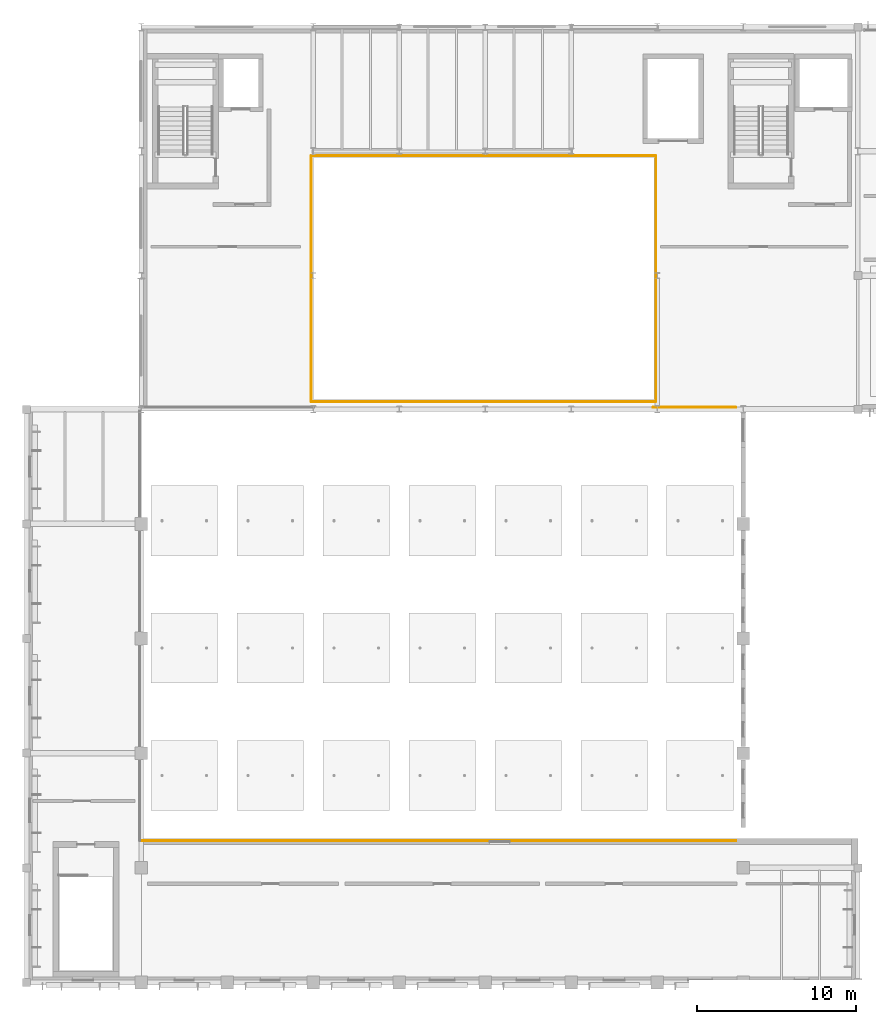
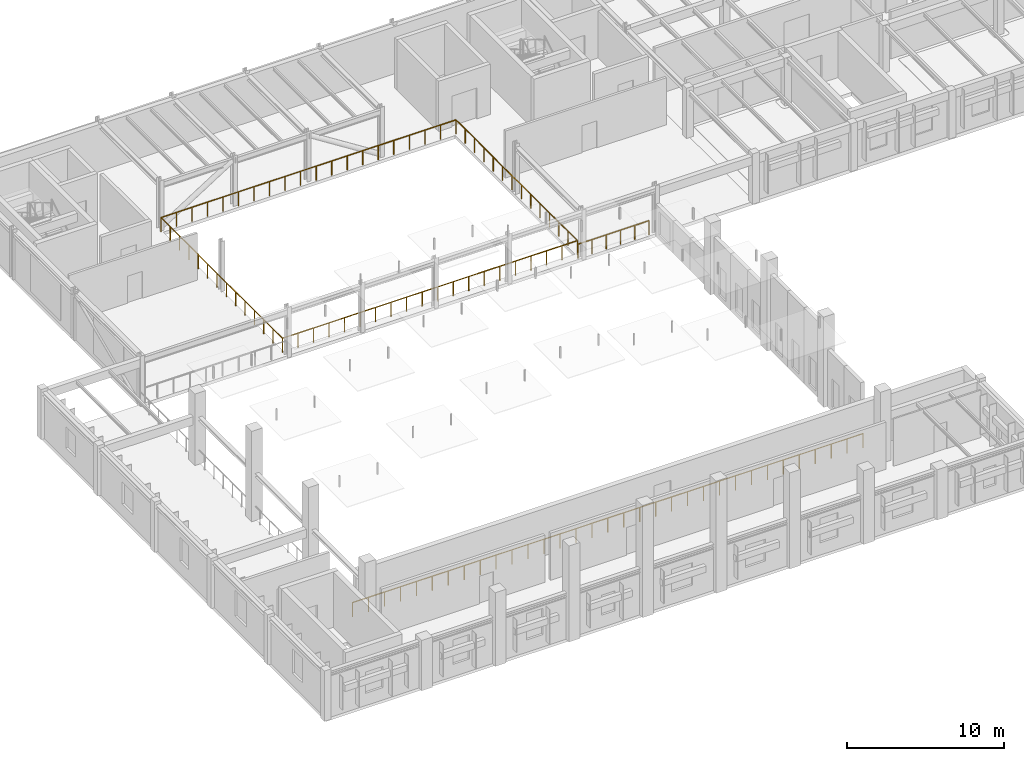
# One storey, part 41 of 44: 6 railings.
"""IFC4 building model written with IfcOpenShell, lengths in metres."""

from ifc_helpers import new_model, si_unit, direction, frame, origin, origin_2d, place, context, subcontext, project, spatial, circle, extrude, material, material_profile, profile_set, type_object, element, save


model = new_model("IFC4")

# Units and contexts
model_context = context("Model", 3, precision=1e-05, world=origin(), true_north=direction((0.0, 1.0)))
body_context = subcontext(model_context, "Body", "Model", "MODEL_VIEW")
ifc_project = project(units=[si_unit("LENGTHUNIT", "METRE"), si_unit("AREAUNIT", "SQUARE_METRE"), si_unit("VOLUMEUNIT", "CUBIC_METRE"), si_unit("PLANEANGLEUNIT", "RADIAN"), si_unit("MASSUNIT", "GRAM", prefix="KILO")], contexts=[model_context])

# Site, building, storey
site_placement = place(None, origin())
site = spatial("IfcSite", under=ifc_project, at=site_placement, CompositionType="ELEMENT")
building_placement = place(site_placement, origin())
building = spatial("IfcBuilding", under=site, at=building_placement, Name="Tazoul Stagehouse", CompositionType="ELEMENT")
storey_placement = place(building_placement, frame((0.0, 0.0, 13.199951171875)))
storey = spatial("IfcBuildingStorey", under=building, at=storey_placement, Name="L03", CompositionType="ELEMENT", Elevation=13.199951171875)

# Railings
ifc_material = material(Name="Brushed Stainless Steel 316L", Category="steel")
ifc_material_profile = material_profile(ifc_material, circle(Radius=0.02392578125, at=origin_2d()), Name="SS RAIL D48")
ifc_profile_set = profile_set([ifc_material_profile], Name="Brushed Stainless Steel 316L")
railing_type = type_object("IfcRailingType", Name="Architectural Guardrail H1120", PredefinedType="GUARDRAIL", material=ifc_profile_set)
railing_1_placement = place(storey_placement, frame((68.280029296875, 88.280029296875, 0.0)))
element("IfcRailing", 1, at=railing_1_placement, inside=storey, type_object=railing_type, Name="L03 Open-Edge Guard GRD-01 (GRD-VOID1-S1)", PredefinedType="GUARDRAIL", context=body_context, shape_type="SweptSolid", body=[
    extrude(circle(Radius=0.02392578125, at=origin_2d()), frame((0.0, 0.0, 1.09619140625), z_axis=(1.0, 0.0, 0.0), x_axis=(0.0, 1.0, 0.0)), (0.0, 0.0, 1.0), 21.639892578125),
    extrude(circle(Radius=0.02099609375, at=origin_2d()), origin(), (0.0, 0.0, 1.0), 1.072021484375),
    extrude(circle(Radius=0.02099609375, at=origin_2d()), frame((1.138916015625, 0.0, 0.0)), (0.0, 0.0, 1.0), 1.072021484375),
    extrude(circle(Radius=0.02099609375, at=origin_2d()), frame((2.27783203125, 0.0, 0.0)), (0.0, 0.0, 1.0), 1.072021484375),
    extrude(circle(Radius=0.02099609375, at=origin_2d()), frame((3.416748046875, 0.0, 0.0)), (0.0, 0.0, 1.0), 1.072021484375),
    extrude(circle(Radius=0.02099609375, at=origin_2d()), frame((4.5556640625, 0.0, 0.0)), (0.0, 0.0, 1.0), 1.072021484375),
    extrude(circle(Radius=0.02099609375, at=origin_2d()), frame((5.69482421875, 0.0, 0.0)), (0.0, 0.0, 1.0), 1.072021484375),
    extrude(circle(Radius=0.02099609375, at=origin_2d()), frame((6.833740234375, 0.0, 0.0)), (0.0, 0.0, 1.0), 1.072021484375),
    extrude(circle(Radius=0.02099609375, at=origin_2d()), frame((7.97265625, 0.0, 0.0)), (0.0, 0.0, 1.0), 1.072021484375),
    extrude(circle(Radius=0.02099609375, at=origin_2d()), frame((9.111572265625, 0.0, 0.0)), (0.0, 0.0, 1.0), 1.072021484375),
    extrude(circle(Radius=0.02099609375, at=origin_2d()), frame((10.25048828125, 0.0, 0.0)), (0.0, 0.0, 1.0), 1.072021484375),
    extrude(circle(Radius=0.02099609375, at=origin_2d()), frame((11.389404296875, 0.0, 0.0)), (0.0, 0.0, 1.0), 1.072021484375),
    extrude(circle(Radius=0.02099609375, at=origin_2d()), frame((12.5283203125, 0.0, 0.0)), (0.0, 0.0, 1.0), 1.072021484375),
    extrude(circle(Radius=0.02099609375, at=origin_2d()), frame((13.667236328125, 0.0, 0.0)), (0.0, 0.0, 1.0), 1.072021484375),
    extrude(circle(Radius=0.02099609375, at=origin_2d()), frame((14.80615234375, 0.0, 0.0)), (0.0, 0.0, 1.0), 1.072021484375),
    extrude(circle(Radius=0.02099609375, at=origin_2d()), frame((15.945068359375, 0.0, 0.0)), (0.0, 0.0, 1.0), 1.072021484375),
    extrude(circle(Radius=0.02099609375, at=origin_2d()), frame((17.084228515625, 0.0, 0.0)), (0.0, 0.0, 1.0), 1.072021484375),
    extrude(circle(Radius=0.02099609375, at=origin_2d()), frame((18.22314453125, 0.0, 0.0)), (0.0, 0.0, 1.0), 1.072021484375),
    extrude(circle(Radius=0.02099609375, at=origin_2d()), frame((19.362060546875, 0.0, 0.0)), (0.0, 0.0, 1.0), 1.072021484375),
    extrude(circle(Radius=0.02099609375, at=origin_2d()), frame((20.5009765625, 0.0, 0.0)), (0.0, 0.0, 1.0), 1.072021484375),
    extrude(circle(Radius=0.02099609375, at=origin_2d()), frame((21.639892578125, 0.0, 0.0)), (0.0, 0.0, 1.0), 1.072021484375),
])
railing_2_placement = place(storey_placement, frame((89.919921875, 88.280029296875, 0.0)))
element("IfcRailing", 2, at=railing_2_placement, inside=storey, type_object=railing_type, Name="L03 Open-Edge Guard GRD-01 (GRD-VOID1-E1)", PredefinedType="GUARDRAIL", context=body_context, shape_type="SweptSolid", body=[
    extrude(circle(Radius=0.02392578125, at=origin_2d()), frame((0.0, 0.0, 1.09619140625), z_axis=(0.0, 1.0, 0.0), x_axis=(-1.0, 0.0, 0.0)), (0.0, 0.0, 1.0), 15.43994140625),
    extrude(circle(Radius=0.02099609375, at=origin_2d()), origin(), (0.0, 0.0, 1.0), 1.072021484375),
    extrude(circle(Radius=0.02099609375, at=origin_2d()), frame((0.0, 1.187744140625, 0.0)), (0.0, 0.0, 1.0), 1.072021484375),
    extrude(circle(Radius=0.02099609375, at=origin_2d()), frame((0.0, 2.37548828125, 0.0)), (0.0, 0.0, 1.0), 1.072021484375),
    extrude(circle(Radius=0.02099609375, at=origin_2d()), frame((0.0, 3.56298828125, 0.0)), (0.0, 0.0, 1.0), 1.072021484375),
    extrude(circle(Radius=0.02099609375, at=origin_2d()), frame((0.0, 4.750732421875, 0.0)), (0.0, 0.0, 1.0), 1.072021484375),
    extrude(circle(Radius=0.02099609375, at=origin_2d()), frame((0.0, 5.9384765625, 0.0)), (0.0, 0.0, 1.0), 1.072021484375),
    extrude(circle(Radius=0.02099609375, at=origin_2d()), frame((0.0, 7.126220703125, 0.0)), (0.0, 0.0, 1.0), 1.072021484375),
    extrude(circle(Radius=0.02099609375, at=origin_2d()), frame((0.0, 8.313720703125, 0.0)), (0.0, 0.0, 1.0), 1.072021484375),
    extrude(circle(Radius=0.02099609375, at=origin_2d()), frame((0.0, 9.50146484375, 0.0)), (0.0, 0.0, 1.0), 1.072021484375),
    extrude(circle(Radius=0.02099609375, at=origin_2d()), frame((0.0, 10.689208984375, 0.0)), (0.0, 0.0, 1.0), 1.072021484375),
    extrude(circle(Radius=0.02099609375, at=origin_2d()), frame((0.0, 11.876953125, 0.0)), (0.0, 0.0, 1.0), 1.072021484375),
    extrude(circle(Radius=0.02099609375, at=origin_2d()), frame((0.0, 13.064453125, 0.0)), (0.0, 0.0, 1.0), 1.072021484375),
    extrude(circle(Radius=0.02099609375, at=origin_2d()), frame((0.0, 14.252197265625, 0.0)), (0.0, 0.0, 1.0), 1.072021484375),
    extrude(circle(Radius=0.02099609375, at=origin_2d()), frame((0.0, 15.43994140625, 0.0)), (0.0, 0.0, 1.0), 1.072021484375),
])
railing_3_placement = place(storey_placement, frame((89.919921875, 103.719970703125, 0.0)))
element("IfcRailing", 3, at=railing_3_placement, inside=storey, type_object=railing_type, Name="L03 Open-Edge Guard GRD-01 (GRD-VOID1-N1)", PredefinedType="GUARDRAIL", context=body_context, shape_type="SweptSolid", body=[
    extrude(circle(Radius=0.02392578125, at=origin_2d()), frame((0.0, 0.0, 1.09619140625), z_axis=(-1.0, 0.0, 0.0), x_axis=(0.0, -1.0, 0.0)), (0.0, 0.0, 1.0), 21.639892578125),
    extrude(circle(Radius=0.02099609375, at=origin_2d()), origin(), (0.0, 0.0, 1.0), 1.072021484375),
    extrude(circle(Radius=0.02099609375, at=origin_2d()), frame((-1.138916015625, 0.0, 0.0)), (0.0, 0.0, 1.0), 1.072021484375),
    extrude(circle(Radius=0.02099609375, at=origin_2d()), frame((-2.27783203125, 0.0, 0.0)), (0.0, 0.0, 1.0), 1.072021484375),
    extrude(circle(Radius=0.02099609375, at=origin_2d()), frame((-3.416748046875, 0.0, 0.0)), (0.0, 0.0, 1.0), 1.072021484375),
    extrude(circle(Radius=0.02099609375, at=origin_2d()), frame((-4.5556640625, 0.0, 0.0)), (0.0, 0.0, 1.0), 1.072021484375),
    extrude(circle(Radius=0.02099609375, at=origin_2d()), frame((-5.69482421875, 0.0, 0.0)), (0.0, 0.0, 1.0), 1.072021484375),
    extrude(circle(Radius=0.02099609375, at=origin_2d()), frame((-6.833740234375, 0.0, 0.0)), (0.0, 0.0, 1.0), 1.072021484375),
    extrude(circle(Radius=0.02099609375, at=origin_2d()), frame((-7.97265625, 0.0, 0.0)), (0.0, 0.0, 1.0), 1.072021484375),
    extrude(circle(Radius=0.02099609375, at=origin_2d()), frame((-9.111572265625, 0.0, 0.0)), (0.0, 0.0, 1.0), 1.072021484375),
    extrude(circle(Radius=0.02099609375, at=origin_2d()), frame((-10.25048828125, 0.0, 0.0)), (0.0, 0.0, 1.0), 1.072021484375),
    extrude(circle(Radius=0.02099609375, at=origin_2d()), frame((-11.389404296875, 0.0, 0.0)), (0.0, 0.0, 1.0), 1.072021484375),
    extrude(circle(Radius=0.02099609375, at=origin_2d()), frame((-12.5283203125, 0.0, 0.0)), (0.0, 0.0, 1.0), 1.072021484375),
    extrude(circle(Radius=0.02099609375, at=origin_2d()), frame((-13.667236328125, 0.0, 0.0)), (0.0, 0.0, 1.0), 1.072021484375),
    extrude(circle(Radius=0.02099609375, at=origin_2d()), frame((-14.80615234375, 0.0, 0.0)), (0.0, 0.0, 1.0), 1.072021484375),
    extrude(circle(Radius=0.02099609375, at=origin_2d()), frame((-15.945068359375, 0.0, 0.0)), (0.0, 0.0, 1.0), 1.072021484375),
    extrude(circle(Radius=0.02099609375, at=origin_2d()), frame((-17.084228515625, 0.0, 0.0)), (0.0, 0.0, 1.0), 1.072021484375),
    extrude(circle(Radius=0.02099609375, at=origin_2d()), frame((-18.22314453125, 0.0, 0.0)), (0.0, 0.0, 1.0), 1.072021484375),
    extrude(circle(Radius=0.02099609375, at=origin_2d()), frame((-19.362060546875, 0.0, 0.0)), (0.0, 0.0, 1.0), 1.072021484375),
    extrude(circle(Radius=0.02099609375, at=origin_2d()), frame((-20.5009765625, 0.0, 0.0)), (0.0, 0.0, 1.0), 1.072021484375),
    extrude(circle(Radius=0.02099609375, at=origin_2d()), frame((-21.639892578125, 0.0, 0.0)), (0.0, 0.0, 1.0), 1.072021484375),
])
railing_4_placement = place(storey_placement, frame((68.280029296875, 103.719970703125, 0.0)))
element("IfcRailing", 4, at=railing_4_placement, inside=storey, type_object=railing_type, Name="L03 Open-Edge Guard GRD-01 (GRD-VOID1-W1)", PredefinedType="GUARDRAIL", context=body_context, shape_type="SweptSolid", body=[
    extrude(circle(Radius=0.02392578125, at=origin_2d()), frame((0.0, 0.0, 1.09619140625), z_axis=(0.0, -1.0, 0.0), x_axis=(1.0, 0.0, 0.0)), (0.0, 0.0, 1.0), 15.43994140625),
    extrude(circle(Radius=0.02099609375, at=origin_2d()), origin(), (0.0, 0.0, 1.0), 1.072021484375),
    extrude(circle(Radius=0.02099609375, at=origin_2d()), frame((0.0, -1.187744140625, 0.0)), (0.0, 0.0, 1.0), 1.072021484375),
    extrude(circle(Radius=0.02099609375, at=origin_2d()), frame((0.0, -2.37548828125, 0.0)), (0.0, 0.0, 1.0), 1.072021484375),
    extrude(circle(Radius=0.02099609375, at=origin_2d()), frame((0.0, -3.56298828125, 0.0)), (0.0, 0.0, 1.0), 1.072021484375),
    extrude(circle(Radius=0.02099609375, at=origin_2d()), frame((0.0, -4.750732421875, 0.0)), (0.0, 0.0, 1.0), 1.072021484375),
    extrude(circle(Radius=0.02099609375, at=origin_2d()), frame((0.0, -5.9384765625, 0.0)), (0.0, 0.0, 1.0), 1.072021484375),
    extrude(circle(Radius=0.02099609375, at=origin_2d()), frame((0.0, -7.126220703125, 0.0)), (0.0, 0.0, 1.0), 1.072021484375),
    extrude(circle(Radius=0.02099609375, at=origin_2d()), frame((0.0, -8.313720703125, 0.0)), (0.0, 0.0, 1.0), 1.072021484375),
    extrude(circle(Radius=0.02099609375, at=origin_2d()), frame((0.0, -9.50146484375, 0.0)), (0.0, 0.0, 1.0), 1.072021484375),
    extrude(circle(Radius=0.02099609375, at=origin_2d()), frame((0.0, -10.689208984375, 0.0)), (0.0, 0.0, 1.0), 1.072021484375),
    extrude(circle(Radius=0.02099609375, at=origin_2d()), frame((0.0, -11.876953125, 0.0)), (0.0, 0.0, 1.0), 1.072021484375),
    extrude(circle(Radius=0.02099609375, at=origin_2d()), frame((0.0, -13.064453125, 0.0)), (0.0, 0.0, 1.0), 1.072021484375),
    extrude(circle(Radius=0.02099609375, at=origin_2d()), frame((0.0, -14.252197265625, 0.0)), (0.0, 0.0, 1.0), 1.072021484375),
    extrude(circle(Radius=0.02099609375, at=origin_2d()), frame((0.0, -15.43994140625, 0.0)), (0.0, 0.0, 1.0), 1.072021484375),
])
railing_5_placement = place(storey_placement, frame((57.5, 60.699951171875, 0.0)))
element("IfcRailing", 5, at=railing_5_placement, inside=storey, type_object=railing_type, Name="L03 Auditorium Control Gallery Front Guard GRD-01", PredefinedType="GUARDRAIL", context=body_context, shape_type="SweptSolid", body=[
    extrude(circle(Radius=0.02392578125, at=origin_2d()), frame((0.0, 0.0, 1.09619140625), z_axis=(1.0, 0.0, 0.0), x_axis=(0.0, 1.0, 0.0)), (0.0, 0.0, 1.0), 37.449951171875),
    extrude(circle(Radius=0.02099609375, at=origin_2d()), origin(), (0.0, 0.0, 1.0), 1.072021484375),
    extrude(circle(Radius=0.02099609375, at=origin_2d()), frame((1.17041015625, 0.0, 0.0)), (0.0, 0.0, 1.0), 1.072021484375),
    extrude(circle(Radius=0.02099609375, at=origin_2d()), frame((2.340576171875, 0.0, 0.0)), (0.0, 0.0, 1.0), 1.072021484375),
    extrude(circle(Radius=0.02099609375, at=origin_2d()), frame((3.510986328125, 0.0, 0.0)), (0.0, 0.0, 1.0), 1.072021484375),
    extrude(circle(Radius=0.02099609375, at=origin_2d()), frame((4.68115234375, 0.0, 0.0)), (0.0, 0.0, 1.0), 1.072021484375),
    extrude(circle(Radius=0.02099609375, at=origin_2d()), frame((5.8515625, 0.0, 0.0)), (0.0, 0.0, 1.0), 1.072021484375),
    extrude(circle(Radius=0.02099609375, at=origin_2d()), frame((7.02197265625, 0.0, 0.0)), (0.0, 0.0, 1.0), 1.072021484375),
    extrude(circle(Radius=0.02099609375, at=origin_2d()), frame((8.192138671875, 0.0, 0.0)), (0.0, 0.0, 1.0), 1.072021484375),
    extrude(circle(Radius=0.02099609375, at=origin_2d()), frame((9.362548828125, 0.0, 0.0)), (0.0, 0.0, 1.0), 1.072021484375),
    extrude(circle(Radius=0.02099609375, at=origin_2d()), frame((10.53271484375, 0.0, 0.0)), (0.0, 0.0, 1.0), 1.072021484375),
    extrude(circle(Radius=0.02099609375, at=origin_2d()), frame((11.703125, 0.0, 0.0)), (0.0, 0.0, 1.0), 1.072021484375),
    extrude(circle(Radius=0.02099609375, at=origin_2d()), frame((12.87353515625, 0.0, 0.0)), (0.0, 0.0, 1.0), 1.072021484375),
    extrude(circle(Radius=0.02099609375, at=origin_2d()), frame((14.043701171875, 0.0, 0.0)), (0.0, 0.0, 1.0), 1.072021484375),
    extrude(circle(Radius=0.02099609375, at=origin_2d()), frame((15.214111328125, 0.0, 0.0)), (0.0, 0.0, 1.0), 1.072021484375),
    extrude(circle(Radius=0.02099609375, at=origin_2d()), frame((16.38427734375, 0.0, 0.0)), (0.0, 0.0, 1.0), 1.072021484375),
    extrude(circle(Radius=0.02099609375, at=origin_2d()), frame((17.5546875, 0.0, 0.0)), (0.0, 0.0, 1.0), 1.072021484375),
    extrude(circle(Radius=0.02099609375, at=origin_2d()), frame((18.72509765625, 0.0, 0.0)), (0.0, 0.0, 1.0), 1.072021484375),
    extrude(circle(Radius=0.02099609375, at=origin_2d()), frame((19.895263671875, 0.0, 0.0)), (0.0, 0.0, 1.0), 1.072021484375),
    extrude(circle(Radius=0.02099609375, at=origin_2d()), frame((21.065673828125, 0.0, 0.0)), (0.0, 0.0, 1.0), 1.072021484375),
    extrude(circle(Radius=0.02099609375, at=origin_2d()), frame((22.23583984375, 0.0, 0.0)), (0.0, 0.0, 1.0), 1.072021484375),
    extrude(circle(Radius=0.02099609375, at=origin_2d()), frame((23.40625, 0.0, 0.0)), (0.0, 0.0, 1.0), 1.072021484375),
    extrude(circle(Radius=0.02099609375, at=origin_2d()), frame((24.576416015625, 0.0, 0.0)), (0.0, 0.0, 1.0), 1.072021484375),
    extrude(circle(Radius=0.02099609375, at=origin_2d()), frame((25.746826171875, 0.0, 0.0)), (0.0, 0.0, 1.0), 1.072021484375),
    extrude(circle(Radius=0.02099609375, at=origin_2d()), frame((26.917236328125, 0.0, 0.0)), (0.0, 0.0, 1.0), 1.072021484375),
    extrude(circle(Radius=0.02099609375, at=origin_2d()), frame((28.08740234375, 0.0, 0.0)), (0.0, 0.0, 1.0), 1.072021484375),
    extrude(circle(Radius=0.02099609375, at=origin_2d()), frame((29.2578125, 0.0, 0.0)), (0.0, 0.0, 1.0), 1.072021484375),
    extrude(circle(Radius=0.02099609375, at=origin_2d()), frame((30.427978515625, 0.0, 0.0)), (0.0, 0.0, 1.0), 1.072021484375),
    extrude(circle(Radius=0.02099609375, at=origin_2d()), frame((31.598388671875, 0.0, 0.0)), (0.0, 0.0, 1.0), 1.072021484375),
    extrude(circle(Radius=0.02099609375, at=origin_2d()), frame((32.768798828125, 0.0, 0.0)), (0.0, 0.0, 1.0), 1.072021484375),
    extrude(circle(Radius=0.02099609375, at=origin_2d()), frame((33.93896484375, 0.0, 0.0)), (0.0, 0.0, 1.0), 1.072021484375),
    extrude(circle(Radius=0.02099609375, at=origin_2d()), frame((35.109375, 0.0, 0.0)), (0.0, 0.0, 1.0), 1.072021484375),
    extrude(circle(Radius=0.02099609375, at=origin_2d()), frame((36.279541015625, 0.0, 0.0)), (0.0, 0.0, 1.0), 1.072021484375),
    extrude(circle(Radius=0.02099609375, at=origin_2d()), frame((37.449951171875, 0.0, 0.0)), (0.0, 0.0, 1.0), 1.072021484375),
])
railing_6_placement = place(storey_placement, frame((89.75, 87.919921875, 0.0)))
element("IfcRailing", 6, at=railing_6_placement, inside=storey, type_object=railing_type, Name="L03 Stagehouse South Gallery Guard GRD-01 (E)", PredefinedType="GUARDRAIL", context=body_context, shape_type="SweptSolid", body=[
    extrude(circle(Radius=0.02392578125, at=origin_2d()), frame((0.0, 0.0, 1.09619140625), z_axis=(1.0, 0.0, 0.0), x_axis=(0.0, 1.0, 0.0)), (0.0, 0.0, 1.0), 5.199951171875),
    extrude(circle(Radius=0.02099609375, at=origin_2d()), origin(), (0.0, 0.0, 1.0), 1.072021484375),
    extrude(circle(Radius=0.02099609375, at=origin_2d()), frame((1.0400390625, 0.0, 0.0)), (0.0, 0.0, 1.0), 1.072021484375),
    extrude(circle(Radius=0.02099609375, at=origin_2d()), frame((2.080078125, 0.0, 0.0)), (0.0, 0.0, 1.0), 1.072021484375),
    extrude(circle(Radius=0.02099609375, at=origin_2d()), frame((3.119873046875, 0.0, 0.0)), (0.0, 0.0, 1.0), 1.072021484375),
    extrude(circle(Radius=0.02099609375, at=origin_2d()), frame((4.159912109375, 0.0, 0.0)), (0.0, 0.0, 1.0), 1.072021484375),
    extrude(circle(Radius=0.02099609375, at=origin_2d()), frame((5.199951171875, 0.0, 0.0)), (0.0, 0.0, 1.0), 1.072021484375),
])

save(model, "model.ifc")
